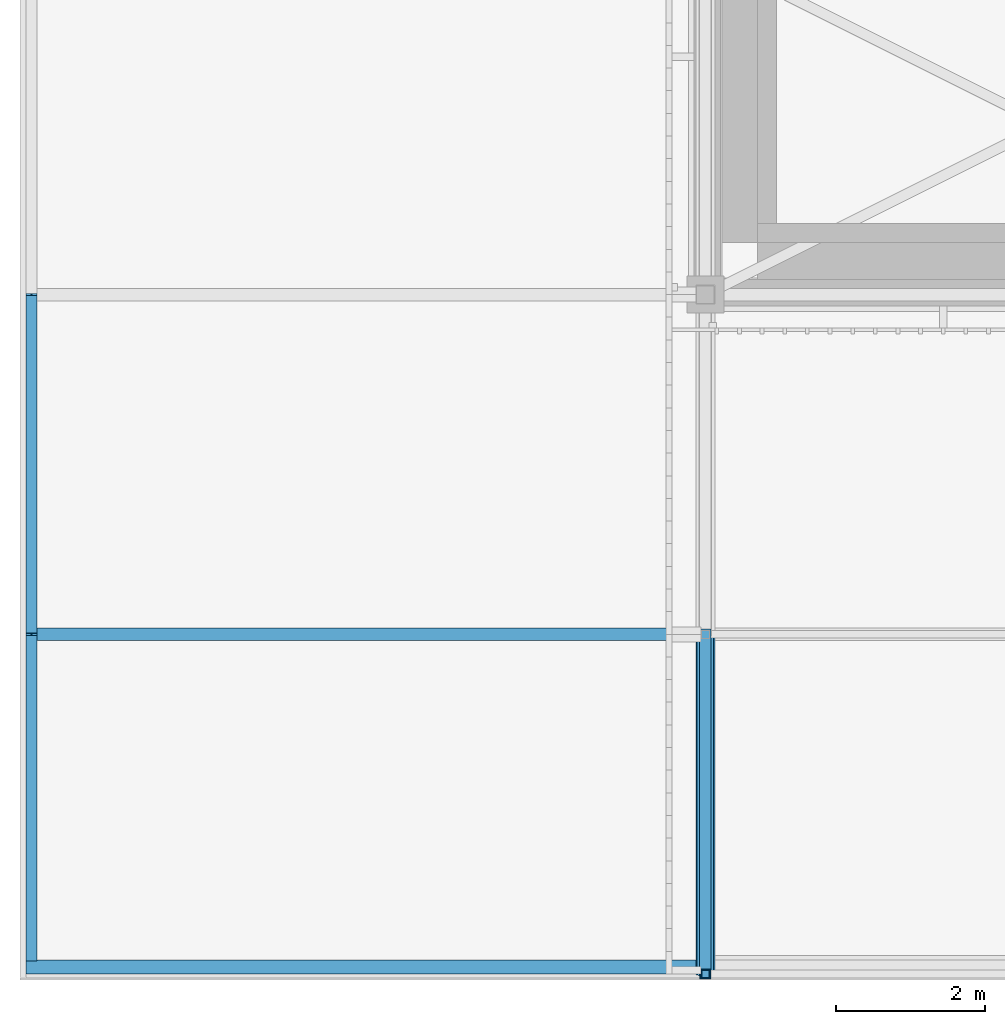
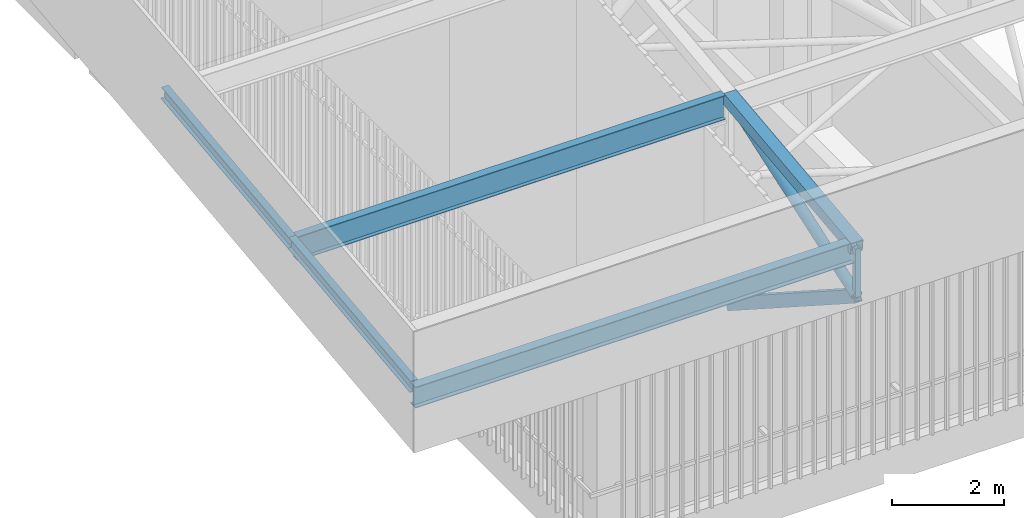
# One storey, part 3 of 500: 8 members.
"""IFC4 building model written with IfcOpenShell, lengths in metres."""

import ifcopenshell
import ifcopenshell.guid

model = None  # the IFC model being written
_history = None  # IfcOwnerHistory: only IFC2X3 demands one
_inside = {}  # id of a spatial element -> (the spatial element, [elements in it])
_under = {}  # id of a project, library or spatial element -> (it, [spatial elements below it])
_declared = {}  # id of a project -> (the project, [libraries it declares])
_typed = {}  # id of a type object -> (the type object, [elements of that type])
_made_of = {}  # id of a material, layer set ... -> (it, [elements and type objects made of it])


def new_model(schema):
    """Start an empty IFC model of exactly this schema.

    Asked for "IFC4X3", IfcOpenShell would pick the latest addendum, in which some entities
    have other attributes; the version numbers below select the first issue.
    IFC2X3 requires an IfcOwnerHistory on every rooted entity: one is made here for all.
    """
    global model, _history
    if schema == "IFC4X3":
        model = ifcopenshell.file(schema_version=(4, 3, 0, 0))
    else:
        model = ifcopenshell.file(schema=schema)
    _inside.clear()
    _under.clear()
    _declared.clear()
    _typed.clear()
    _made_of.clear()
    _history = None
    if model.schema == "IFC2X3":
        org = make("IfcOrganization", Name="unknown")
        user = make(
            "IfcPersonAndOrganization",
            ThePerson=make("IfcPerson", FamilyName="unknown"),
            TheOrganization=org,
        )
        app = make(
            "IfcApplication",
            ApplicationDeveloper=org,
            Version="unknown",
            ApplicationFullName="unknown",
            ApplicationIdentifier="unknown",
        )
        _history = make(
            "IfcOwnerHistory",
            OwningUser=user,
            OwningApplication=app,
            ChangeAction="ADDED",
            CreationDate=0,
        )
    return model


def make(cls, **values):
    """One entity of the class cls with the attributes given. An attribute that is None is left unset."""
    return model.create_entity(
        cls, **{name: value for name, value in values.items() if value is not None}
    )


def rooted(cls, **values):
    """An entity with a GlobalId (a new one), such as an element, a storey or a relation."""
    return make(cls, GlobalId=ifcopenshell.guid.new(), OwnerHistory=_history, **values)


def si_unit(unit_type, name, prefix=None):
    """IfcSIUnit, for example si_unit("LENGTHUNIT", "METRE", prefix="MILLI")."""
    return make("IfcSIUnit", UnitType=unit_type, Prefix=prefix, Name=name)


def assignment(units):
    """IfcUnitAssignment: the units of a project."""
    return None if units is None else make("IfcUnitAssignment", Units=units)


def point(xyz):
    """IfcCartesianPoint."""
    return None if xyz is None else make("IfcCartesianPoint", Coordinates=xyz)


def direction(xyz):
    """IfcDirection."""
    return None if xyz is None else make("IfcDirection", DirectionRatios=xyz)


def frame(location, z_axis=None, x_axis=None):
    """IfcAxis2Placement3D, a coordinate frame: its origin and axes. An axis left out is left unset."""
    return make(
        "IfcAxis2Placement3D",
        Location=point(location),
        Axis=direction(z_axis),
        RefDirection=direction(x_axis),
    )


def frame_2d(location, x_axis=None):
    """IfcAxis2Placement2D, a coordinate frame in the plane: its origin and x axis."""
    return make(
        "IfcAxis2Placement2D", Location=point(location), RefDirection=direction(x_axis)
    )


def origin():
    """The frame at (0, 0, 0) with its axes left unset."""
    return frame((0.0, 0.0, 0.0))


def origin_2d():
    """The frame at (0, 0) in the plane with its x axis left unset."""
    return frame_2d((0.0, 0.0))


def place(relative_to, where):
    """IfcLocalPlacement: puts the frame where relative to a parent placement (None: the world)."""
    return make(
        "IfcLocalPlacement", PlacementRelTo=relative_to, RelativePlacement=where
    )


def context(
    kind, dimensions, precision=None, world=None, true_north=None, identifier=None
):
    """IfcGeometricRepresentationContext, for example the 3D "Model" context."""
    return make(
        "IfcGeometricRepresentationContext",
        ContextIdentifier=identifier,
        ContextType=kind,
        CoordinateSpaceDimension=dimensions,
        Precision=precision,
        WorldCoordinateSystem=world,
        TrueNorth=true_north,
    )


def subcontext(parent, identifier, kind, view, scale=None):
    """IfcGeometricRepresentationSubContext, for example "Body" below "Model"."""
    return make(
        "IfcGeometricRepresentationSubContext",
        ContextIdentifier=identifier,
        ContextType=kind,
        ParentContext=parent,
        TargetScale=scale,
        TargetView=view,
    )


def project(units=None, contexts=None):
    """IfcProject with its units and contexts."""
    return rooted(
        "IfcProject",
        Name="project",
        RepresentationContexts=contexts,
        UnitsInContext=assignment(units),
    )


def spatial(cls, under=None, at=None, **own):
    """A site, building, storey or space (cls), placed at a placement, below another one or the project."""
    s = rooted(cls, ObjectPlacement=at, **own)
    if under is not None:
        _under.setdefault(under.id(), (under, []))[1].append(s)
    return s


def profile(cls, at=None, kind="AREA", **sizes):
    """A parametric profile (cls). Its sizes go by their IFC names, for example OverallWidth=200.0."""
    return make(cls, ProfileType=kind, Position=at, **sizes)


def hollow_rectangle(**sizes):
    """IfcRectangleHollowProfileDef."""
    return profile("IfcRectangleHollowProfileDef", **sizes)


def hollow_circle(**sizes):
    """IfcCircleHollowProfileDef."""
    return profile("IfcCircleHollowProfileDef", **sizes)


def i_section(**sizes):
    """IfcIShapeProfileDef."""
    return profile("IfcIShapeProfileDef", **sizes)


def extrude(swept, where, along, depth):
    """IfcExtrudedAreaSolid: the profile swept, set in the frame where, extruded along a direction by depth."""
    return make(
        "IfcExtrudedAreaSolid",
        SweptArea=swept,
        Position=where,
        ExtrudedDirection=direction(along),
        Depth=depth,
    )


def shape(context_of_items, identifier, shape_type, items):
    """IfcShapeRepresentation: the items that make up one representation, for example the "Body"."""
    return make(
        "IfcShapeRepresentation",
        ContextOfItems=context_of_items,
        RepresentationIdentifier=identifier,
        RepresentationType=shape_type,
        Items=items,
    )


def material(Name=None, Category=None):
    """IfcMaterial."""
    return make("IfcMaterial", Name=Name, Category=Category)


def material_profile(
    of_material, cross_section, Name=None, Category=None, Priority=None
):
    """IfcMaterialProfile: a cross section and its material."""
    return make(
        "IfcMaterialProfile",
        Name=Name,
        Material=of_material,
        Profile=cross_section,
        Priority=Priority,
        Category=Category,
    )


def profile_set(profiles, Name=None, composite=None):
    """IfcMaterialProfileSet."""
    return make(
        "IfcMaterialProfileSet",
        Name=Name,
        MaterialProfiles=profiles,
        CompositeProfile=composite,
    )


def made_of(thing, what):
    """Note that an element or type object is made of a material, layer set ...; save() writes the relation."""
    if what is not None:
        _made_of.setdefault(what.id(), (what, []))[1].append(thing)
    return thing


def type_object(cls, material=None, **own):
    """A type object (cls), such as IfcWallType, which elements share."""
    return made_of(rooted(cls, **own), material)


def element(
    cls,
    number,
    at=None,
    inside=None,
    cuts=None,
    type_object=None,
    material=None,
    context=None,
    identifier="Body",
    shape_type=None,
    held_by="IfcProductDefinitionShape",
    body=None,
    shapes=None,
    **own,
):
    """One element of the class cls, such as IfcWall. Its Tag is "e" and its number.

    at: its placement. inside: the storey or other place that contains it. cuts: it is an
    opening in that element (IfcRelVoidsElement). A single representation is given by context,
    identifier, shape_type and body (its items); several are given by shapes. held_by: the class
    of the entity that holds the representations. save() writes the other relations.
    """
    e = rooted(cls, Tag="e%d" % number, ObjectPlacement=at, **own)
    if body is not None:
        shapes = [shape(context, identifier, shape_type, body)]
    if shapes is not None:
        e.Representation = make(held_by, Representations=shapes)
    if inside is not None:
        _inside.setdefault(inside.id(), (inside, []))[1].append(e)
    if cuts is not None:
        rooted(
            "IfcRelVoidsElement", RelatingBuildingElement=cuts, RelatedOpeningElement=e
        )
    if type_object is not None:
        _typed.setdefault(type_object.id(), (type_object, []))[1].append(e)
    return made_of(e, material)


def aggregate(whole, parts):
    """IfcRelAggregates: a whole, such as a stair, and the parts it consists of."""
    return rooted("IfcRelAggregates", RelatingObject=whole, RelatedObjects=parts)


def save(model, path):
    """Write the relations noted so far, then the file.

    IfcRelAggregates (storeys below a building ...), IfcRelContainedInSpatialStructure (elements
    in a storey), IfcRelDefinesByType, IfcRelAssociatesMaterial and IfcRelDeclares: one each for
    every whole, place, type object, material and project.
    """
    for whole, parts in _under.values():
        aggregate(whole, parts)
    for where, things in _inside.values():
        rooted(
            "IfcRelContainedInSpatialStructure",
            RelatedElements=things,
            RelatingStructure=where,
        )
    for kind, things in _typed.values():
        rooted("IfcRelDefinesByType", RelatedObjects=things, RelatingType=kind)
    for what, things in _made_of.values():
        rooted("IfcRelAssociatesMaterial", RelatedObjects=things, RelatingMaterial=what)
    for by, libraries in _declared.values():
        rooted("IfcRelDeclares", RelatingContext=by, RelatedDefinitions=libraries)
    model.write(path)


model = new_model("IFC4")

# Units and contexts
model_context = context("Model", 3, precision=1e-05, world=origin(), true_north=direction((0.0, 1.0)))
body_context = subcontext(model_context, "Body", "Model", "MODEL_VIEW")
ifc_project = project(units=[si_unit("LENGTHUNIT", "METRE"), si_unit("AREAUNIT", "SQUARE_METRE"), si_unit("VOLUMEUNIT", "CUBIC_METRE"), si_unit("PLANEANGLEUNIT", "RADIAN"), si_unit("MASSUNIT", "GRAM", prefix="KILO")], contexts=[model_context])

# Site, building, storey
site_placement = place(None, origin())
site = spatial("IfcSite", under=ifc_project, at=site_placement, CompositionType="ELEMENT")
building_placement = place(site_placement, origin())
building = spatial("IfcBuilding", under=site, at=building_placement, Name="Shirokan Park Arena", CompositionType="ELEMENT")
storey_placement = place(building_placement, frame((0.0, 0.0, 29.1201171875)))
storey = spatial("IfcBuildingStorey", under=building, at=storey_placement, Name="L06", CompositionType="ELEMENT", Elevation=29.1201171875)

# Members
ifc_material_1 = material(Name="Steel ASTM A500 Grade C", Category="steel")
ifc_material_profile_1 = material_profile(ifc_material_1, hollow_rectangle(XDim=0.152099609375, YDim=0.25390625, WallThickness=0.009521484375, at=origin_2d()), Name="HSS254X152.4X9.5")
ifc_profile_set_1 = profile_set([ifc_material_profile_1], Name="Steel ASTM A500 Grade C")
member_type_1 = type_object("IfcMemberType", Name="Bottom chord HSS254X152.4X9.5", PredefinedType="CHORD", material=ifc_profile_set_1)
member_1_placement = place(storey_placement, frame((0.0, -9.10009765625, 10.531982421875), z_axis=(0.0, 0.840971691661, -0.541079119746), x_axis=(-1.0, 0.0, 0.0)))
element("IfcMember", 1, at=member_1_placement, inside=storey, type_object=member_type_1, Name="Truss T01 bottom chord 1", PredefinedType="CHORD", context=body_context, shape_type="SweptSolid", body=[
    extrude(hollow_rectangle(XDim=0.152099609375, YDim=0.25390625, WallThickness=0.009521484375, at=origin_2d()), origin(), (0.0, 0.0, 1.0), 5.410400390625),
])
ifc_material_2 = material(Name="Steel ASTM A992", Category="steel")
ifc_material_profile_2 = material_profile(ifc_material_2, i_section(OverallWidth=0.166015625, OverallDepth=0.528076171875, WebThickness=0.009765625, FlangeThickness=0.013671875, at=origin_2d()), Name="W530X74")
ifc_profile_set_2 = profile_set([ifc_material_profile_2], Name="Steel ASTM A992")
member_type_2 = type_object("IfcMemberType", Name="Purlin W530X74", PredefinedType="PURLIN", material=ifc_profile_set_2)
member_2_placement = place(storey_placement, frame((-8.951904296875, -4.550048828125, 11.9658203125), z_axis=(1.0, 0.0, 0.0), x_axis=(0.0, 1.0, 0.0)))
element("IfcMember", 2, at=member_2_placement, inside=storey, type_object=member_type_2, Name="Eave purlin west 2", PredefinedType="PURLIN", context=body_context, shape_type="SweptSolid", body=[
    extrude(i_section(OverallWidth=0.166015625, OverallDepth=0.528076171875, WebThickness=0.009765625, FlangeThickness=0.013671875, at=origin_2d()), origin(), (0.0, 0.0, 1.0), 8.824951171875),
])
ifc_material_profile_3 = material_profile(ifc_material_2, i_section(OverallWidth=0.14794921875, OverallDepth=0.26708984375, WebThickness=0.007568359375, FlangeThickness=0.012939453125, at=origin_2d()), Name="W250X44.8")
ifc_profile_set_3 = profile_set([ifc_material_profile_3], Name="Steel ASTM A992")
member_type_3 = type_object("IfcMemberType", Name="Roof edge beam W250X44.8", PredefinedType="USERDEFINED", material=ifc_profile_set_3)
member_3_placement = place(storey_placement, frame((-9.02587890625, -8.908935546875, 11.59814453125), z_axis=(0.0, 0.993529264308, 0.113576410242), x_axis=(-1.0, 0.0, 0.0)))
element("IfcMember", 3, at=member_3_placement, inside=storey, type_object=member_type_3, Name="Roof edge beam W 1", ObjectType="ROOF EDGE BEAM", PredefinedType="USERDEFINED", context=body_context, shape_type="SweptSolid", body=[
    extrude(i_section(OverallWidth=0.14794921875, OverallDepth=0.26708984375, WebThickness=0.007568359375, FlangeThickness=0.012939453125, at=origin_2d()), origin(), (0.0, 0.0, 1.0), 4.38720703125),
])
member_4_placement = place(storey_placement, frame((-9.02587890625, -4.550048828125, 12.096435546875), z_axis=(0.0, 0.993532328996, 0.113549598152), x_axis=(-1.0, 0.0, 0.0)))
element("IfcMember", 4, at=member_4_placement, inside=storey, type_object=member_type_3, Name="Roof edge beam W 2", ObjectType="ROOF EDGE BEAM", PredefinedType="USERDEFINED", context=body_context, shape_type="SweptSolid", body=[
    extrude(i_section(OverallWidth=0.14794921875, OverallDepth=0.26708984375, WebThickness=0.007568359375, FlangeThickness=0.012939453125, at=origin_2d()), origin(), (0.0, 0.0, 1.0), 4.57958984375),
])
ifc_material_profile_4 = material_profile(ifc_material_2, i_section(OverallWidth=0.19091796875, OverallDepth=0.45703125, WebThickness=0.009033203125, FlangeThickness=0.014404296875, at=origin_2d()), Name="W460X74")
ifc_profile_set_4 = profile_set([ifc_material_profile_4], Name="Steel ASTM A992")
member_type_4 = type_object("IfcMemberType", Name="Roof edge beam W460X74", PredefinedType="USERDEFINED", material=ifc_profile_set_4)
member_5_placement = place(storey_placement, frame((-9.10009765625, -9.00439453125, 11.4814453125), z_axis=(1.0, 0.0, 0.0), x_axis=(0.0, 1.0, 0.0)))
element("IfcMember", 5, at=member_5_placement, inside=storey, type_object=member_type_4, Name="Roof edge beam S 1", ObjectType="ROOF EDGE BEAM", PredefinedType="USERDEFINED", context=body_context, shape_type="SweptSolid", body=[
    extrude(i_section(OverallWidth=0.19091796875, OverallDepth=0.45703125, WebThickness=0.009033203125, FlangeThickness=0.014404296875, at=origin_2d()), origin(), (0.0, 0.0, 1.0), 9.043212890625),
])
ifc_material_profile_5 = material_profile(ifc_material_1, hollow_rectangle(XDim=0.25390625, YDim=0.25390625, WallThickness=0.009521484375, at=origin_2d()), Name="HSS254X254X9.5")
ifc_profile_set_5 = profile_set([ifc_material_profile_5], Name="Steel ASTM A500 Grade C")
member_type_5 = type_object("IfcMemberType", Name="Top chord HSS254X254X9.5", PredefinedType="CHORD", material=ifc_profile_set_5)
member_6_placement = place(storey_placement, frame((0.0, -9.10009765625, 11.582763671875), z_axis=(0.0, 0.993532328996, 0.113549598152), x_axis=(-1.0, 0.0, 0.0)))
element("IfcMember", 6, at=member_6_placement, inside=storey, type_object=member_type_5, Name="Truss T01 top chord 1", PredefinedType="CHORD", context=body_context, shape_type="SweptSolid", body=[
    extrude(hollow_rectangle(XDim=0.25390625, YDim=0.25390625, WallThickness=0.009521484375, at=origin_2d()), origin(), (0.0, 0.0, 1.0), 4.57958984375),
])
ifc_material_profile_6 = material_profile(ifc_material_1, hollow_circle(Radius=0.109619140625, WallThickness=0.009521484375, at=origin_2d()), Name="HSS219.1X9.5")
ifc_profile_set_6 = profile_set([ifc_material_profile_6], Name="Steel ASTM A500 Grade C")
member_type_6 = type_object("IfcMemberType", Name="Truss diagonal HSS219.1X9.5", PredefinedType="BRACE", material=ifc_profile_set_6)
member_7_placement = place(storey_placement, frame((0.0, -9.10009765625, 10.531982421875), z_axis=(0.0, 0.945256498603, 0.326328288459), x_axis=(-1.0, 0.0, 0.0)))
element("IfcMember", 7, at=member_7_placement, inside=storey, type_object=member_type_6, Name="Truss T01 diagonal 1", PredefinedType="BRACE", context=body_context, shape_type="SweptSolid", body=[
    extrude(hollow_circle(Radius=0.109619140625, WallThickness=0.009521484375, at=origin_2d()), origin(), (0.0, 0.0, 1.0), 4.8134765625),
])
ifc_material_profile_7 = material_profile(ifc_material_1, hollow_rectangle(XDim=0.114013671875, YDim=0.114013671875, WallThickness=0.00634765625, at=origin_2d()), Name="HSS114.3X114.3X6.4")
ifc_profile_set_7 = profile_set([ifc_material_profile_7], Name="Steel ASTM A500 Grade C")
member_type_7 = type_object("IfcMemberType", Name="Truss post HSS114.3X114.3X6.4", PredefinedType="POST", material=ifc_profile_set_7)
member_8_placement = place(storey_placement, frame((0.0, -9.10009765625, 10.531982421875), z_axis=(0.0, 0.0, 1.0), x_axis=(1.0, 0.0, 0.0)))
element("IfcMember", 8, at=member_8_placement, inside=storey, type_object=member_type_7, Name="Truss T01 post 1", PredefinedType="POST", context=body_context, shape_type="SweptSolid", body=[
    extrude(hollow_rectangle(XDim=0.114013671875, YDim=0.114013671875, WallThickness=0.00634765625, at=origin_2d()), origin(), (0.0, 0.0, 1.0), 1.05078125),
])

save(model, "model.ifc")
